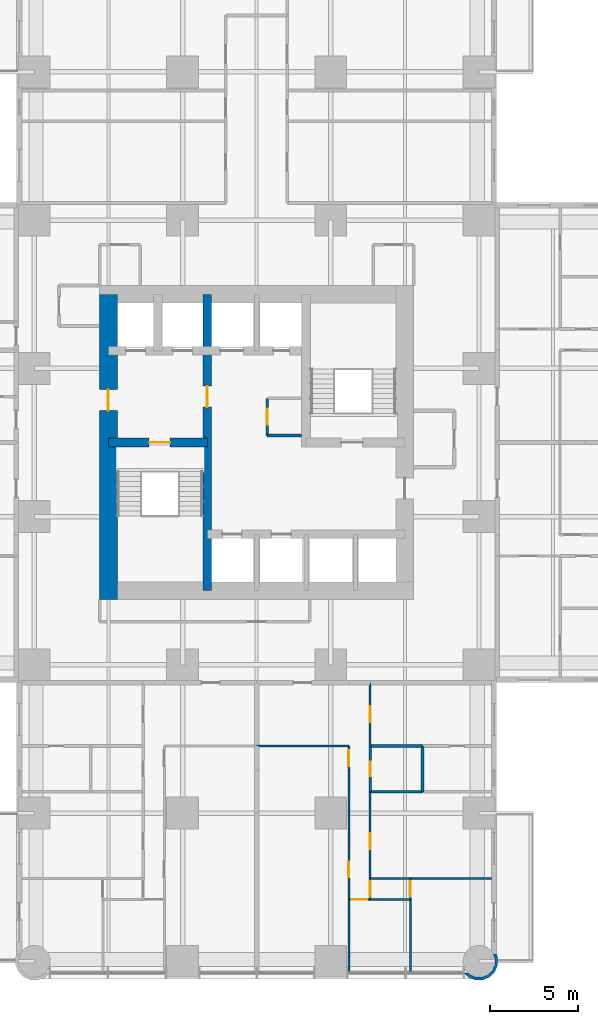
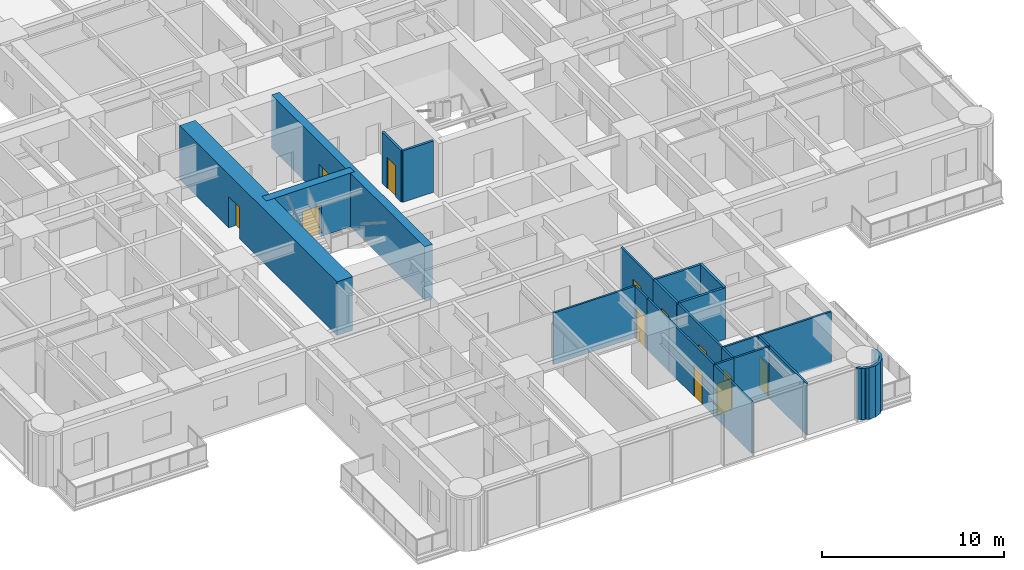
# One storey, part 9 of 17: 24 walls, 12 doors, 12 openings.
"""IFC4 building model written with IfcOpenShell, lengths in metres."""

import ifcopenshell
import ifcopenshell.guid

model = None  # the IFC model being written
_history = None  # IfcOwnerHistory: only IFC2X3 demands one
_inside = {}  # id of a spatial element -> (the spatial element, [elements in it])
_under = {}  # id of a project, library or spatial element -> (it, [spatial elements below it])
_declared = {}  # id of a project -> (the project, [libraries it declares])
_typed = {}  # id of a type object -> (the type object, [elements of that type])
_made_of = {}  # id of a material, layer set ... -> (it, [elements and type objects made of it])


def new_model(schema):
    """Start an empty IFC model of exactly this schema.

    Asked for "IFC4X3", IfcOpenShell would pick the latest addendum, in which some entities
    have other attributes; the version numbers below select the first issue.
    IFC2X3 requires an IfcOwnerHistory on every rooted entity: one is made here for all.
    """
    global model, _history
    if schema == "IFC4X3":
        model = ifcopenshell.file(schema_version=(4, 3, 0, 0))
    else:
        model = ifcopenshell.file(schema=schema)
    _inside.clear()
    _under.clear()
    _declared.clear()
    _typed.clear()
    _made_of.clear()
    _history = None
    if model.schema == "IFC2X3":
        org = make("IfcOrganization", Name="unknown")
        user = make(
            "IfcPersonAndOrganization",
            ThePerson=make("IfcPerson", FamilyName="unknown"),
            TheOrganization=org,
        )
        app = make(
            "IfcApplication",
            ApplicationDeveloper=org,
            Version="unknown",
            ApplicationFullName="unknown",
            ApplicationIdentifier="unknown",
        )
        _history = make(
            "IfcOwnerHistory",
            OwningUser=user,
            OwningApplication=app,
            ChangeAction="ADDED",
            CreationDate=0,
        )
    return model


def make(cls, **values):
    """One entity of the class cls with the attributes given. An attribute that is None is left unset."""
    return model.create_entity(
        cls, **{name: value for name, value in values.items() if value is not None}
    )


def rooted(cls, **values):
    """An entity with a GlobalId (a new one), such as an element, a storey or a relation."""
    return make(cls, GlobalId=ifcopenshell.guid.new(), OwnerHistory=_history, **values)


def si_unit(unit_type, name, prefix=None):
    """IfcSIUnit, for example si_unit("LENGTHUNIT", "METRE", prefix="MILLI")."""
    return make("IfcSIUnit", UnitType=unit_type, Prefix=prefix, Name=name)


def assignment(units):
    """IfcUnitAssignment: the units of a project."""
    return None if units is None else make("IfcUnitAssignment", Units=units)


def point(xyz):
    """IfcCartesianPoint."""
    return None if xyz is None else make("IfcCartesianPoint", Coordinates=xyz)


def direction(xyz):
    """IfcDirection."""
    return None if xyz is None else make("IfcDirection", DirectionRatios=xyz)


def frame(location, z_axis=None, x_axis=None):
    """IfcAxis2Placement3D, a coordinate frame: its origin and axes. An axis left out is left unset."""
    return make(
        "IfcAxis2Placement3D",
        Location=point(location),
        Axis=direction(z_axis),
        RefDirection=direction(x_axis),
    )


def frame_2d(location, x_axis=None):
    """IfcAxis2Placement2D, a coordinate frame in the plane: its origin and x axis."""
    return make(
        "IfcAxis2Placement2D", Location=point(location), RefDirection=direction(x_axis)
    )


def origin():
    """The frame at (0, 0, 0) with its axes left unset."""
    return frame((0.0, 0.0, 0.0))


def place(relative_to, where):
    """IfcLocalPlacement: puts the frame where relative to a parent placement (None: the world)."""
    return make(
        "IfcLocalPlacement", PlacementRelTo=relative_to, RelativePlacement=where
    )


def context(
    kind, dimensions, precision=None, world=None, true_north=None, identifier=None
):
    """IfcGeometricRepresentationContext, for example the 3D "Model" context."""
    return make(
        "IfcGeometricRepresentationContext",
        ContextIdentifier=identifier,
        ContextType=kind,
        CoordinateSpaceDimension=dimensions,
        Precision=precision,
        WorldCoordinateSystem=world,
        TrueNorth=true_north,
    )


def subcontext(parent, identifier, kind, view, scale=None):
    """IfcGeometricRepresentationSubContext, for example "Body" below "Model"."""
    return make(
        "IfcGeometricRepresentationSubContext",
        ContextIdentifier=identifier,
        ContextType=kind,
        ParentContext=parent,
        TargetScale=scale,
        TargetView=view,
    )


def project(units=None, contexts=None):
    """IfcProject with its units and contexts."""
    return rooted(
        "IfcProject",
        Name="project",
        RepresentationContexts=contexts,
        UnitsInContext=assignment(units),
    )


def spatial(cls, under=None, at=None, **own):
    """A site, building, storey or space (cls), placed at a placement, below another one or the project."""
    s = rooted(cls, ObjectPlacement=at, **own)
    if under is not None:
        _under.setdefault(under.id(), (under, []))[1].append(s)
    return s


def polyline(points):
    """IfcPolyline through the points."""
    return make("IfcPolyline", Points=[point(p) for p in points])


def profile(cls, at=None, kind="AREA", **sizes):
    """A parametric profile (cls). Its sizes go by their IFC names, for example OverallWidth=200.0."""
    return make(cls, ProfileType=kind, Position=at, **sizes)


def rectangle(**sizes):
    """IfcRectangleProfileDef."""
    return profile("IfcRectangleProfileDef", **sizes)


def outline(outer, holes=None, kind="AREA"):
    """IfcArbitraryClosedProfileDef: a profile drawn as a closed curve; with holes, ...WithVoids."""
    if holes is None:
        return make("IfcArbitraryClosedProfileDef", ProfileType=kind, OuterCurve=outer)
    return make(
        "IfcArbitraryProfileDefWithVoids",
        ProfileType=kind,
        OuterCurve=outer,
        InnerCurves=holes,
    )


def extrude(swept, where, along, depth):
    """IfcExtrudedAreaSolid: the profile swept, set in the frame where, extruded along a direction by depth."""
    return make(
        "IfcExtrudedAreaSolid",
        SweptArea=swept,
        Position=where,
        ExtrudedDirection=direction(along),
        Depth=depth,
    )


def shape(context_of_items, identifier, shape_type, items):
    """IfcShapeRepresentation: the items that make up one representation, for example the "Body"."""
    return make(
        "IfcShapeRepresentation",
        ContextOfItems=context_of_items,
        RepresentationIdentifier=identifier,
        RepresentationType=shape_type,
        Items=items,
    )


def material(Name=None, Category=None):
    """IfcMaterial."""
    return make("IfcMaterial", Name=Name, Category=Category)


def layer(
    of_material, thickness, ventilated=None, Name=None, Category=None, Priority=None
):
    """IfcMaterialLayer: one layer of a wall or slab, of a material (None: an air gap)."""
    return make(
        "IfcMaterialLayer",
        Material=of_material,
        LayerThickness=thickness,
        IsVentilated=ventilated,
        Name=Name,
        Category=Category,
        Priority=Priority,
    )


def layer_set(layers, Name=None):
    """IfcMaterialLayerSet."""
    return make("IfcMaterialLayerSet", MaterialLayers=layers, LayerSetName=Name)


def made_of(thing, what):
    """Note that an element or type object is made of a material, layer set ...; save() writes the relation."""
    if what is not None:
        _made_of.setdefault(what.id(), (what, []))[1].append(thing)
    return thing


def type_object(cls, material=None, **own):
    """A type object (cls), such as IfcWallType, which elements share."""
    return made_of(rooted(cls, **own), material)


def element(
    cls,
    number,
    at=None,
    inside=None,
    cuts=None,
    type_object=None,
    material=None,
    context=None,
    identifier="Body",
    shape_type=None,
    held_by="IfcProductDefinitionShape",
    body=None,
    shapes=None,
    **own,
):
    """One element of the class cls, such as IfcWall. Its Tag is "e" and its number.

    at: its placement. inside: the storey or other place that contains it. cuts: it is an
    opening in that element (IfcRelVoidsElement). A single representation is given by context,
    identifier, shape_type and body (its items); several are given by shapes. held_by: the class
    of the entity that holds the representations. save() writes the other relations.
    """
    e = rooted(cls, Tag="e%d" % number, ObjectPlacement=at, **own)
    if body is not None:
        shapes = [shape(context, identifier, shape_type, body)]
    if shapes is not None:
        e.Representation = make(held_by, Representations=shapes)
    if inside is not None:
        _inside.setdefault(inside.id(), (inside, []))[1].append(e)
    if cuts is not None:
        rooted(
            "IfcRelVoidsElement", RelatingBuildingElement=cuts, RelatedOpeningElement=e
        )
    if type_object is not None:
        _typed.setdefault(type_object.id(), (type_object, []))[1].append(e)
    return made_of(e, material)


def fill(opening, filler):
    """IfcRelFillsElement: the door or window that sits in an opening."""
    return rooted(
        "IfcRelFillsElement",
        RelatingOpeningElement=opening,
        RelatedBuildingElement=filler,
    )


def aggregate(whole, parts):
    """IfcRelAggregates: a whole, such as a stair, and the parts it consists of."""
    return rooted("IfcRelAggregates", RelatingObject=whole, RelatedObjects=parts)


def save(model, path):
    """Write the relations noted so far, then the file.

    IfcRelAggregates (storeys below a building ...), IfcRelContainedInSpatialStructure (elements
    in a storey), IfcRelDefinesByType, IfcRelAssociatesMaterial and IfcRelDeclares: one each for
    every whole, place, type object, material and project.
    """
    for whole, parts in _under.values():
        aggregate(whole, parts)
    for where, things in _inside.values():
        rooted(
            "IfcRelContainedInSpatialStructure",
            RelatedElements=things,
            RelatingStructure=where,
        )
    for kind, things in _typed.values():
        rooted("IfcRelDefinesByType", RelatedObjects=things, RelatingType=kind)
    for what, things in _made_of.values():
        rooted("IfcRelAssociatesMaterial", RelatedObjects=things, RelatingMaterial=what)
    for by, libraries in _declared.values():
        rooted("IfcRelDeclares", RelatingContext=by, RelatedDefinitions=libraries)
    model.write(path)


model = new_model("IFC4")

# Units and contexts
model_context = context("Model", 3, precision=1e-05, world=origin(), true_north=direction((0.0, 1.0)))
body_context = subcontext(model_context, "Body", "Model", "MODEL_VIEW")
ifc_project = project(units=[si_unit("LENGTHUNIT", "METRE"), si_unit("AREAUNIT", "SQUARE_METRE"), si_unit("VOLUMEUNIT", "CUBIC_METRE"), si_unit("PLANEANGLEUNIT", "RADIAN"), si_unit("MASSUNIT", "GRAM", prefix="KILO")], contexts=[model_context])

# Site, building, storey
site_placement = place(None, origin())
site = spatial("IfcSite", under=ifc_project, at=site_placement, CompositionType="ELEMENT")
building_placement = place(site_placement, origin())
building = spatial("IfcBuilding", under=site, at=building_placement, Name="Torre Alcanfor", CompositionType="ELEMENT")
storey_placement = place(building_placement, frame((0.0, 0.0, 34.5)))
storey = spatial("IfcBuildingStorey", under=building, at=storey_placement, Name="L07", CompositionType="ELEMENT", Elevation=34.5)

# Wall
ifc_material_1 = material(Name="Gypsum board on steel studs", Category="steel")
ifc_layer_1 = layer(ifc_material_1, 0.1201171875)
ifc_layer_set_1 = layer_set([ifc_layer_1], Name="Apartment partition 120")
wall_type_1 = type_object("IfcWallType", Name="Apartment partition 120", PredefinedType="PARTITIONING", material=ifc_layer_set_1)
wall_1_placement = place(storey_placement, frame((29.39990234375, 12.199951171875, 0.0), z_axis=(0.0, 0.0, 1.0), x_axis=(1.0, 0.0, 0.0)))
element("IfcWall", 1, at=wall_1_placement, inside=storey, type_object=wall_type_1, Name="Partition L07-S1-ZAG / L07-S1-LAUND", PredefinedType="PARTITIONING", context=body_context, shape_type="SweptSolid", body=[
    extrude(rectangle(XDim=5.22900390625, YDim=0.1201171875, at=frame_2d((2.614501953125, 0.0))), origin(), (0.0, 0.0, 1.0), 3.449951171875),
])

# Wall, opening, door
wall_2_placement = place(storey_placement, frame((34.62890625, 10.800048828125, 0.0), z_axis=(0.0, 0.0, 1.0), x_axis=(0.0, 1.0, 0.0)))
wall_2 = element("IfcWall", 2, at=wall_2_placement, inside=storey, type_object=wall_type_1, Name="Partition L07-S1-LAUND / L07-S1-HALL", PredefinedType="PARTITIONING", context=body_context, shape_type="SweptSolid", body=[
    extrude(rectangle(XDim=1.39990234375, YDim=0.1201171875, at=frame_2d((0.699951171875, 0.0))), origin(), (0.0, 0.0, 1.0), 3.449951171875),
])
opening_1_placement = place(wall_2_placement, frame((0.25, 0.0, 0.0)))
opening_1 = element("IfcOpeningElement", 3, at=opening_1_placement, cuts=wall_2, Name="Opening D-R1", PredefinedType="OPENING", context=body_context, shape_type="SweptSolid", body=[
    extrude(rectangle(XDim=0.89990234375, YDim=2.10009765625, at=frame_2d((0.449951171875, 1.050048828125))), frame((0.0, 0.070068359375, 0.0), z_axis=(0.0, -1.0, 0.0), x_axis=(1.0, 0.0, 0.0)), (0.0, 0.0, 1.0), 0.14013671875),
])
ifc_material_2 = material(Name="Timber", Category="wood")
door_type_1 = type_object("IfcDoorType", Name="Internal door 900x2100", OperationType="SINGLE_SWING_LEFT", PredefinedType="DOOR", material=ifc_material_2)
door_1_placement = place(opening_1_placement, origin())
door_1 = element("IfcDoor", 4, at=door_1_placement, inside=storey, type_object=door_type_1, Name="Door L07-S1 laund", OperationType="SINGLE_SWING_LEFT", OverallHeight=2.10009765625, OverallWidth=0.89990234375, PredefinedType="DOOR", context=body_context, shape_type="SweptSolid", body=[
    extrude(rectangle(XDim=0.89990234375, YDim=2.10009765625, at=frame_2d((0.449951171875, 1.050048828125))), frame((0.0, 0.02490234375, 0.0), z_axis=(0.0, -1.0, 0.0), x_axis=(1.0, 0.0, 0.0)), (0.0, 0.0, 1.0), 0.050048828125),
])
fill(opening_1, door_1)

# Wall
wall_3_placement = place(storey_placement, frame((34.62890625, 8.39990234375, 0.0), z_axis=(0.0, 0.0, 1.0), x_axis=(0.0, 1.0, 0.0)))
element("IfcWall", 5, at=wall_3_placement, inside=storey, type_object=wall_type_1, Name="Partition L07-S1-KITCHEN / L07-S1-HALL", PredefinedType="PARTITIONING", context=body_context, shape_type="SweptSolid", body=[
    extrude(rectangle(XDim=2.400146484375, YDim=0.1201171875, at=frame_2d((1.2001953125, 0.0))), origin(), (0.0, 0.0, 1.0), 3.449951171875),
])

# Wall, opening, door
wall_4_placement = place(storey_placement, frame((34.62890625, 3.5, 0.0), z_axis=(0.0, 0.0, 1.0), x_axis=(0.0, 1.0, 0.0)))
wall_4 = element("IfcWall", 6, at=wall_4_placement, inside=storey, type_object=wall_type_1, Name="Partition L07-S1-LIVING / L07-S1-HALL", PredefinedType="PARTITIONING", context=body_context, shape_type="SweptSolid", body=[
    extrude(rectangle(XDim=4.89990234375, YDim=0.1201171875, at=frame_2d((2.449951171875, 0.0))), origin(), (0.0, 0.0, 1.0), 3.449951171875),
])
opening_2_placement = place(wall_4_placement, frame((1.25, 0.0, 0.0)))
opening_2 = element("IfcOpeningElement", 7, at=opening_2_placement, cuts=wall_4, Name="Opening D-R1", PredefinedType="OPENING", context=body_context, shape_type="SweptSolid", body=[
    extrude(rectangle(XDim=0.89990234375, YDim=2.10009765625, at=frame_2d((0.449951171875, 1.050048828125))), frame((0.0, 0.070068359375, 0.0), z_axis=(0.0, -1.0, 0.0), x_axis=(1.0, 0.0, 0.0)), (0.0, 0.0, 1.0), 0.14013671875),
])
door_2_placement = place(opening_2_placement, origin())
door_2 = element("IfcDoor", 8, at=door_2_placement, inside=storey, type_object=door_type_1, Name="Door L07-S1 living", OperationType="SINGLE_SWING_RIGHT", OverallHeight=2.10009765625, OverallWidth=0.89990234375, PredefinedType="DOOR", context=body_context, shape_type="SweptSolid", body=[
    extrude(rectangle(XDim=0.89990234375, YDim=2.10009765625, at=frame_2d((0.449951171875, 1.050048828125))), frame((0.0, 0.02490234375, 0.0), z_axis=(0.0, -1.0, 0.0), x_axis=(1.0, 0.0, 0.0)), (0.0, 0.0, 1.0), 0.050048828125),
])
fill(opening_2, door_2)

# Wall
wall_5_placement = place(storey_placement, frame((34.62890625, -0.64990234375, 0.0), z_axis=(0.0, 0.0, 1.0), x_axis=(0.0, 1.0, 0.0)))
element("IfcWall", 9, at=wall_5_placement, inside=storey, type_object=wall_type_1, Name="Partition L07-S1-LIVING / L07-S1-BED2", PredefinedType="PARTITIONING", context=body_context, shape_type="SweptSolid", body=[
    extrude(rectangle(XDim=4.14990234375, YDim=0.1201171875, at=frame_2d((2.074951171875, 0.0))), origin(), (0.0, 0.0, 1.0), 3.449951171875),
])

# Wall, opening, door
wall_6_placement = place(storey_placement, frame((35.8291015625, 12.199951171875, 0.0), z_axis=(0.0, 0.0, 1.0), x_axis=(0.0, 1.0, 0.0)))
wall_6 = element("IfcWall", 10, at=wall_6_placement, inside=storey, type_object=wall_type_1, Name="Partition L07-S1-HALL / L07-S1-SERV", PredefinedType="PARTITIONING", context=body_context, shape_type="SweptSolid", body=[
    extrude(rectangle(XDim=3.574951171875, YDim=0.1201171875, at=frame_2d((1.78759765625, 0.0))), origin(), (0.0, 0.0, 1.0), 3.449951171875),
])
opening_3_placement = place(wall_6_placement, frame((1.35009765625, 0.0, 0.0)))
opening_3 = element("IfcOpeningElement", 11, at=opening_3_placement, cuts=wall_6, Name="Opening D-R1", PredefinedType="OPENING", context=body_context, shape_type="SweptSolid", body=[
    extrude(rectangle(XDim=0.89990234375, YDim=2.10009765625, at=frame_2d((0.449951171875, 1.050048828125))), frame((0.0, 0.070068359375, 0.0), z_axis=(0.0, -1.0, 0.0), x_axis=(1.0, 0.0, 0.0)), (0.0, 0.0, 1.0), 0.14013671875),
])
door_3_placement = place(opening_3_placement, frame((0.89990234375, 0.0, 0.0), z_axis=(0.0, 0.0, 1.0), x_axis=(-1.0, 0.0, 0.0)))
door_3 = element("IfcDoor", 12, at=door_3_placement, inside=storey, type_object=door_type_1, Name="Door L07-S1 serv", OperationType="SINGLE_SWING_LEFT", OverallHeight=2.10009765625, OverallWidth=0.89990234375, PredefinedType="DOOR", context=body_context, shape_type="SweptSolid", body=[
    extrude(rectangle(XDim=0.89990234375, YDim=2.10009765625, at=frame_2d((0.449951171875, 1.050048828125))), frame((0.0, 0.025146484375, 0.0), z_axis=(0.0, -1.0, 0.0), x_axis=(1.0, 0.0, 0.0)), (0.0, 0.0, 1.0), 0.050048828125),
])
fill(opening_3, door_3)

wall_7_placement = place(storey_placement, frame((35.8291015625, 4.699951171875, 0.0), z_axis=(0.0, 0.0, 1.0), x_axis=(0.0, 1.0, 0.0)))
wall_7 = element("IfcWall", 13, at=wall_7_placement, inside=storey, type_object=wall_type_1, Name="Partition L07-S1-HALL / L07-S1-BED3", PredefinedType="PARTITIONING", context=body_context, shape_type="SweptSolid", body=[
    extrude(rectangle(XDim=4.900146484375, YDim=0.1201171875, at=frame_2d((2.4501953125, 0.0))), origin(), (0.0, 0.0, 1.0), 3.449951171875),
])
opening_4_placement = place(wall_7_placement, frame((1.64990234375, 0.0, 0.0)))
opening_4 = element("IfcOpeningElement", 14, at=opening_4_placement, cuts=wall_7, Name="Opening D-R1", PredefinedType="OPENING", context=body_context, shape_type="SweptSolid", body=[
    extrude(rectangle(XDim=0.89990234375, YDim=2.10009765625, at=frame_2d((0.449951171875, 1.050048828125))), frame((0.0, 0.070068359375, 0.0), z_axis=(0.0, -1.0, 0.0), x_axis=(1.0, 0.0, 0.0)), (0.0, 0.0, 1.0), 0.14013671875),
])
door_4_placement = place(opening_4_placement, frame((0.89990234375, 0.0, 0.0), z_axis=(0.0, 0.0, 1.0), x_axis=(-1.0, 0.0, 0.0)))
door_4 = element("IfcDoor", 15, at=door_4_placement, inside=storey, type_object=door_type_1, Name="Door L07-S1 bed3", OperationType="SINGLE_SWING_RIGHT", OverallHeight=2.10009765625, OverallWidth=0.89990234375, PredefinedType="DOOR", context=body_context, shape_type="SweptSolid", body=[
    extrude(rectangle(XDim=0.89990234375, YDim=2.10009765625, at=frame_2d((0.449951171875, 1.050048828125))), frame((0.0, 0.025146484375, 0.0), z_axis=(0.0, -1.0, 0.0), x_axis=(1.0, 0.0, 0.0)), (0.0, 0.0, 1.0), 0.050048828125),
])
fill(opening_4, door_4)

wall_8_placement = place(storey_placement, frame((35.8291015625, 3.5, 0.0), z_axis=(0.0, 0.0, 1.0), x_axis=(0.0, 1.0, 0.0)))
wall_8 = element("IfcWall", 16, at=wall_8_placement, inside=storey, type_object=wall_type_1, Name="Partition L07-S1-HALL / L07-S1-VEST", PredefinedType="PARTITIONING", context=body_context, shape_type="SweptSolid", body=[
    extrude(rectangle(XDim=1.199951171875, YDim=0.1201171875, at=frame_2d((0.60009765625, 0.0))), origin(), (0.0, 0.0, 1.0), 3.449951171875),
])
opening_5_placement = place(wall_8_placement, frame((0.14990234375, 0.0, 0.0)))
opening_5 = element("IfcOpeningElement", 17, at=opening_5_placement, cuts=wall_8, Name="Opening D-R1", PredefinedType="OPENING", context=body_context, shape_type="SweptSolid", body=[
    extrude(rectangle(XDim=0.89990234375, YDim=2.10009765625, at=frame_2d((0.449951171875, 1.050048828125))), frame((0.0, 0.070068359375, 0.0), z_axis=(0.0, -1.0, 0.0), x_axis=(1.0, 0.0, 0.0)), (0.0, 0.0, 1.0), 0.14013671875),
])
door_5_placement = place(opening_5_placement, frame((0.89990234375, 0.0, 0.0), z_axis=(0.0, 0.0, 1.0), x_axis=(-1.0, 0.0, 0.0)))
door_5 = element("IfcDoor", 18, at=door_5_placement, inside=storey, type_object=door_type_1, Name="Door L07-S1 vest", OperationType="SINGLE_SWING_RIGHT", OverallHeight=2.10009765625, OverallWidth=0.89990234375, PredefinedType="DOOR", context=body_context, shape_type="SweptSolid", body=[
    extrude(rectangle(XDim=0.89990234375, YDim=2.10009765625, at=frame_2d((0.449951171875, 1.050048828125))), frame((0.0, 0.025146484375, 0.0), z_axis=(0.0, -1.0, 0.0), x_axis=(1.0, 0.0, 0.0)), (0.0, 0.0, 1.0), 0.050048828125),
])
fill(opening_5, door_5)

wall_9_placement = place(storey_placement, frame((34.62890625, 3.5, 0.0), z_axis=(0.0, 0.0, 1.0), x_axis=(1.0, 0.0, 0.0)))
wall_9 = element("IfcWall", 19, at=wall_9_placement, inside=storey, type_object=wall_type_1, Name="Partition L07-S1-HALL / L07-S1-BED2", PredefinedType="PARTITIONING", context=body_context, shape_type="SweptSolid", body=[
    extrude(rectangle(XDim=1.2001953125, YDim=0.1201171875, at=frame_2d((0.60009765625, 0.0))), origin(), (0.0, 0.0, 1.0), 3.449951171875),
])
opening_6_placement = place(wall_9_placement, frame((0.15087890625, 0.0, 0.0)))
opening_6 = element("IfcOpeningElement", 20, at=opening_6_placement, cuts=wall_9, Name="Opening D-R1", PredefinedType="OPENING", context=body_context, shape_type="SweptSolid", body=[
    extrude(rectangle(XDim=0.89990234375, YDim=2.10009765625, at=frame_2d((0.449951171875, 1.050048828125))), frame((0.0, 0.070068359375, 0.0), z_axis=(0.0, -1.0, 0.0), x_axis=(1.0, 0.0, 0.0)), (0.0, 0.0, 1.0), 0.14013671875),
])
door_6_placement = place(opening_6_placement, frame((0.89990234375, 0.0, 0.0), z_axis=(0.0, 0.0, 1.0), x_axis=(-1.0, 0.0, 0.0)))
door_6 = element("IfcDoor", 21, at=door_6_placement, inside=storey, type_object=door_type_1, Name="Door L07-S1 bed2", OperationType="SINGLE_SWING_RIGHT", OverallHeight=2.10009765625, OverallWidth=0.89990234375, PredefinedType="DOOR", context=body_context, shape_type="SweptSolid", body=[
    extrude(rectangle(XDim=0.89990234375, YDim=2.10009765625, at=frame_2d((0.449951171875, 1.050048828125))), frame((0.0, 0.025146484375, 0.0), z_axis=(0.0, -1.0, 0.0), x_axis=(1.0, 0.0, 0.0)), (0.0, 0.0, 1.0), 0.050048828125),
])
fill(opening_6, door_6)

# Walls
wall_10_placement = place(storey_placement, frame((35.8291015625, 4.699951171875, 0.0), z_axis=(0.0, 0.0, 1.0), x_axis=(1.0, 0.0, 0.0)))
element("IfcWall", 22, at=wall_10_placement, inside=storey, type_object=wall_type_1, Name="Partition L07-S1-BED3 / L07-S1-VEST", PredefinedType="PARTITIONING", context=body_context, shape_type="SweptSolid", body=[
    extrude(rectangle(XDim=2.284912109375, YDim=0.1201171875, at=frame_2d((1.142578125, 0.0))), origin(), (0.0, 0.0, 1.0), 3.449951171875),
])
wall_11_placement = place(storey_placement, frame((38.114013671875, 4.699951171875, 0.0), z_axis=(0.0, 0.0, 1.0), x_axis=(1.0, 0.0, 0.0)))
element("IfcWall", 23, at=wall_11_placement, inside=storey, type_object=wall_type_1, Name="Partition L07-S1-BED3 / L07-S1-MASTER", PredefinedType="PARTITIONING", context=body_context, shape_type="SweptSolid", body=[
    extrude(rectangle(XDim=4.5859375, YDim=0.1201171875, at=frame_2d((2.29296875, 0.0))), origin(), (0.0, 0.0, 1.0), 3.449951171875),
])
wall_12_placement = place(storey_placement, frame((35.8291015625, 3.5, 0.0), z_axis=(0.0, 0.0, 1.0), x_axis=(1.0, 0.0, 0.0)))
element("IfcWall", 24, at=wall_12_placement, inside=storey, type_object=wall_type_1, Name="Partition L07-S1-VEST / L07-S1-BED2", PredefinedType="PARTITIONING", context=body_context, shape_type="SweptSolid", body=[
    extrude(rectangle(XDim=2.284912109375, YDim=0.1201171875, at=frame_2d((1.142578125, 0.0))), origin(), (0.0, 0.0, 1.0), 3.449951171875),
])

# Wall, opening, door
wall_13_placement = place(storey_placement, frame((38.114013671875, 3.5, 0.0), z_axis=(0.0, 0.0, 1.0), x_axis=(0.0, 1.0, 0.0)))
wall_13 = element("IfcWall", 25, at=wall_13_placement, inside=storey, type_object=wall_type_1, Name="Partition L07-S1-VEST / L07-S1-MASTER", PredefinedType="PARTITIONING", context=body_context, shape_type="SweptSolid", body=[
    extrude(rectangle(XDim=1.199951171875, YDim=0.1201171875, at=frame_2d((0.60009765625, 0.0))), origin(), (0.0, 0.0, 1.0), 3.449951171875),
])
opening_7_placement = place(wall_13_placement, frame((0.14990234375, 0.0, 0.0)))
opening_7 = element("IfcOpeningElement", 26, at=opening_7_placement, cuts=wall_13, Name="Opening D-R1", PredefinedType="OPENING", context=body_context, shape_type="SweptSolid", body=[
    extrude(rectangle(XDim=0.89990234375, YDim=2.10009765625, at=frame_2d((0.449951171875, 1.050048828125))), frame((0.0, 0.070068359375, 0.0), z_axis=(0.0, -1.0, 0.0), x_axis=(1.0, 0.0, 0.0)), (0.0, 0.0, 1.0), 0.14013671875),
])
door_7_placement = place(opening_7_placement, origin())
door_7 = element("IfcDoor", 27, at=door_7_placement, inside=storey, type_object=door_type_1, Name="Door L07-S1 master", OperationType="SINGLE_SWING_LEFT", OverallHeight=2.10009765625, OverallWidth=0.89990234375, PredefinedType="DOOR", context=body_context, shape_type="SweptSolid", body=[
    extrude(rectangle(XDim=0.89990234375, YDim=2.10009765625, at=frame_2d((0.449951171875, 1.050048828125))), frame((0.0, 0.02490234375, 0.0), z_axis=(0.0, -1.0, 0.0), x_axis=(1.0, 0.0, 0.0)), (0.0, 0.0, 1.0), 0.050048828125),
])
fill(opening_7, door_7)

# Wall
wall_14_placement = place(storey_placement, frame((38.114013671875, -0.64990234375, 0.0), z_axis=(0.0, 0.0, 1.0), x_axis=(0.0, 1.0, 0.0)))
element("IfcWall", 28, at=wall_14_placement, inside=storey, type_object=wall_type_1, Name="Partition L07-S1-BED2 / L07-S1-MASTER", PredefinedType="PARTITIONING", context=body_context, shape_type="SweptSolid", body=[
    extrude(rectangle(XDim=4.14990234375, YDim=0.1201171875, at=frame_2d((2.074951171875, 0.0))), origin(), (0.0, 0.0, 1.0), 3.449951171875),
])

# Wall, opening, door
ifc_material_3 = material(Name="Concrete f'c 70 MPa", Category="concrete")
ifc_layer_2 = layer(ifc_material_3, 0.5)
ifc_layer_set_2 = layer_set([ifc_layer_2], Name="Core inner wall 500 f'c70")
wall_type_2 = type_object("IfcWallType", Name="Core inner wall 500 f'c70", PredefinedType="SHEAR", material=ifc_layer_set_2)
wall_15_placement = place(storey_placement, frame((26.60009765625, 21.0, 0.0), z_axis=(0.0, 0.0, 1.0), x_axis=(0.0, 1.0, 0.0)))
wall_15 = element("IfcWall", 29, at=wall_15_placement, inside=storey, type_object=wall_type_2, Name="Core wall X266 L07", PredefinedType="SHEAR", context=body_context, shape_type="SweptSolid", body=[
    extrude(rectangle(XDim=16.800048828125, YDim=0.5, at=frame_2d((8.39990234375, 0.0))), origin(), (0.0, 0.0, 1.0), 3.60009765625),
])
opening_8_placement = place(wall_15_placement, frame((10.39990234375, 0.0, 0.0)))
opening_8 = element("IfcOpeningElement", 30, at=opening_8_placement, cuts=wall_15, Name="Opening D-L1", PredefinedType="OPENING", context=body_context, shape_type="SweptSolid", body=[
    extrude(rectangle(XDim=1.199951171875, YDim=2.10009765625, at=frame_2d((0.60009765625, 1.050048828125))), frame((0.0, 0.260009765625, 0.0), z_axis=(0.0, -1.0, 0.0), x_axis=(1.0, 0.0, 0.0)), (0.0, 0.0, 1.0), 0.52001953125),
])
ifc_material_4 = material(Name="Galvanised steel sheet ASTM A653", Category="steel")
door_type_2 = type_object("IfcDoorType", Name="Lobby door FD120 1200x2100", OperationType="SINGLE_SWING_LEFT", PredefinedType="DOOR", material=ifc_material_4)
door_8_placement = place(opening_8_placement, origin())
door_8 = element("IfcDoor", 31, at=door_8_placement, inside=storey, type_object=door_type_2, Name="Lift lobby door L07", OperationType="SINGLE_SWING_LEFT", OverallHeight=2.10009765625, OverallWidth=1.199951171875, PredefinedType="DOOR", context=body_context, shape_type="SweptSolid", body=[
    extrude(rectangle(XDim=1.199951171875, YDim=2.10009765625, at=frame_2d((0.60009765625, 1.050048828125))), frame((0.0, 0.02490234375, 0.0), z_axis=(0.0, -1.0, 0.0), x_axis=(1.0, 0.0, 0.0)), (0.0, 0.0, 1.0), 0.050048828125),
])
fill(opening_8, door_8)

wall_16_placement = place(storey_placement, frame((21.0, 29.39990234375, 0.0), z_axis=(0.0, 0.0, 1.0), x_axis=(1.0, 0.0, 0.0)))
wall_16 = element("IfcWall", 32, at=wall_16_placement, inside=storey, type_object=wall_type_2, Name="Core wall Y294W L07", PredefinedType="SHEAR", context=body_context, shape_type="SweptSolid", body=[
    extrude(rectangle(XDim=5.60009765625, YDim=0.5, at=frame_2d((2.800048828125, 0.0))), origin(), (0.0, 0.0, 1.0), 3.60009765625),
])
opening_9_placement = place(wall_16_placement, frame((2.300048828125, 0.0, 0.0)))
opening_9 = element("IfcOpeningElement", 33, at=opening_9_placement, cuts=wall_16, Name="Opening D-S2", PredefinedType="OPENING", context=body_context, shape_type="SweptSolid", body=[
    extrude(rectangle(XDim=1.199951171875, YDim=2.10009765625, at=frame_2d((0.60009765625, 1.050048828125))), frame((0.0, 0.260009765625, 0.0), z_axis=(0.0, -1.0, 0.0), x_axis=(1.0, 0.0, 0.0)), (0.0, 0.0, 1.0), 0.52001953125),
])
ifc_material_5 = material(Name="Galvanised steel sheet ASTM A653", Category="steel")
door_type_3 = type_object("IfcDoorType", Name="Stair enclosure door FD120 1200x2100", OperationType="SINGLE_SWING_LEFT", PredefinedType="DOOR", material=ifc_material_5)
door_9_placement = place(opening_9_placement, frame((1.199951171875, 0.0, 0.0), z_axis=(0.0, 0.0, 1.0), x_axis=(-1.0, 0.0, 0.0)))
door_9 = element("IfcDoor", 34, at=door_9_placement, inside=storey, type_object=door_type_3, Name="Stair S1 door L07", OperationType="SINGLE_SWING_LEFT", OverallHeight=2.10009765625, OverallWidth=1.199951171875, PredefinedType="DOOR", context=body_context, shape_type="SweptSolid", body=[
    extrude(rectangle(XDim=1.199951171875, YDim=2.10009765625, at=frame_2d((0.599853515625, 1.050048828125))), frame((0.0, 0.025146484375, 0.0), z_axis=(0.0, -1.0, 0.0), x_axis=(1.0, 0.0, 0.0)), (0.0, 0.0, 1.0), 0.050048828125),
])
fill(opening_9, door_9)

ifc_material_6 = material(Name="Concrete f'c 70 MPa", Category="concrete")
ifc_layer_3 = layer(ifc_material_6, 1.0)
ifc_layer_set_3 = layer_set([ifc_layer_3], Name="Core wall 1000 f'c70")
wall_type_3 = type_object("IfcWallType", Name="Core wall 1000 f'c70", PredefinedType="SHEAR", material=ifc_layer_set_3)
wall_17_placement = place(storey_placement, frame((21.0, 37.800048828125, 0.0), z_axis=(0.0, 0.0, 1.0), x_axis=(0.0, -1.0, 0.0)))
wall_17 = element("IfcWall", 35, at=wall_17_placement, inside=storey, type_object=wall_type_3, Name="Core wall OUT-W L07", PredefinedType="SHEAR", context=body_context, shape_type="SweptSolid", body=[
    extrude(rectangle(XDim=17.300048828125, YDim=1.0, at=frame_2d((8.64990234375, 0.0))), origin(), (0.0, 0.0, 1.0), 3.60009765625),
])
opening_10_placement = place(wall_17_placement, frame((5.39990234375, 0.0, 0.0)))
opening_10 = element("IfcOpeningElement", 36, at=opening_10_placement, cuts=wall_17, Name="Opening D-L1", PredefinedType="OPENING", context=body_context, shape_type="SweptSolid", body=[
    extrude(rectangle(XDim=1.199951171875, YDim=2.10009765625, at=frame_2d((0.60009765625, 1.050048828125))), frame((0.0, 0.510009765625, 0.0), z_axis=(0.0, -1.0, 0.0), x_axis=(1.0, 0.0, 0.0)), (0.0, 0.0, 1.0), 1.02001953125),
])
door_10_placement = place(opening_10_placement, origin())
door_10 = element("IfcDoor", 37, at=door_10_placement, inside=storey, type_object=door_type_2, Name="Firefighting lobby door L07", OperationType="SINGLE_SWING_LEFT", OverallHeight=2.10009765625, OverallWidth=1.199951171875, PredefinedType="DOOR", context=body_context, shape_type="SweptSolid", body=[
    extrude(rectangle(XDim=1.199951171875, YDim=2.10009765625, at=frame_2d((0.60009765625, 1.050048828125))), frame((0.0, 0.02490234375, 0.0), z_axis=(0.0, -1.0, 0.0), x_axis=(1.0, 0.0, 0.0)), (0.0, 0.0, 1.0), 0.050048828125),
])
fill(opening_10, door_10)

# Wall
ifc_material_7 = material(Name="Limestone cladding", Category="masonry")
ifc_layer_4 = layer(ifc_material_7, 0.0400390625, Name="Facing")
ifc_material_8 = material(Name="Ventilated air cavity")
ifc_layer_5 = layer(ifc_material_8, 0.02001953125, ventilated=True, Name="Ventilated joint")
ifc_material_9 = material(Name="Mineral wool insulation", Category="insulation")
ifc_layer_6 = layer(ifc_material_9, 0.10009765625, Name="Insulation")
ifc_material_10 = material(Name="Concrete f'c 35 MPa", Category="concrete")
ifc_layer_7 = layer(ifc_material_10, 0.139892578125, Name="Backing")
ifc_layer_set_4 = layer_set([ifc_layer_4, ifc_layer_5, ifc_layer_6, ifc_layer_7], Name="Rounded corner pier stone-clad 300")
wall_type_4 = type_object("IfcWallType", Name="Rounded corner pier stone-clad 300", PredefinedType="SOLIDWALL", material=ifc_layer_set_4)
wall_18_placement = place(storey_placement, frame((41.23340608, -0.610519256, 0.0), z_axis=(0.0, 0.0, 1.0), x_axis=(0.377204953059, -0.926129809145, 0.0)))
element("IfcWall", 38, at=wall_18_placement, inside=storey, type_object=wall_type_4, Name="Corner pier L07 16", PredefinedType="SOLIDWALL", context=body_context, shape_type="SweptSolid", body=[
    extrude(outline(polyline([(0.31873169437185855, 1.8425336525024494), (-0.07152710704046505, 2.001482809968314), (-0.24009471588869835, 2.0005449414227563), (-0.26941358666453996, 2.017231322070639), (-0.37003424962124987, 1.840731870737274), (-0.10240281114565264, 1.842182010528029), (0.22952066537421467, 1.7069923447343507), (0.48468330510664415, 1.4551793700683648), (0.6237907271323827, 1.1248909220292227), (0.6256685839754508, 0.7664021208386822), (0.49047891818177247, 0.4344786443188148), (0.23866594351578668, 0.1793160045863853), (0.09016005264750862, 0.11695717207098313), (0.01086965602056237, -0.07772001681430692), (0.024436010646714988, -0.08324547999388505), (0.3295868985749782, 0.04527476829386376), (0.48015223740573765, 0.19747796194128653), (0.49902760591309464, 0.19268993376963664), (0.5075741737852856, 0.2253240824532252), (0.6260202259498713, 0.3452676153211709), (0.7849693834157356, 0.7355264167334946), (0.7824906971943995, 1.1572636358175066), (0.6187245413991658, 1.5461003251275562), (0.31873169437185855, 1.8425336525024494)])), origin(), (0.0, 0.0, 1.0), 3.449951171875),
])

# Wall, opening, door
ifc_material_11 = material(Name="Cement board on steel studs", Category="steel")
ifc_layer_8 = layer(ifc_material_11, 0.14990234375)
ifc_layer_set_5 = layer_set([ifc_layer_8], Name="Wet area partition 150")
wall_type_5 = type_object("IfcWallType", Name="Wet area partition 150", PredefinedType="PARTITIONING", material=ifc_layer_set_5)
wall_19_placement = place(storey_placement, frame((35.8291015625, 9.60009765625, 0.0), z_axis=(0.0, 0.0, 1.0), x_axis=(0.0, 1.0, 0.0)))
wall_19 = element("IfcWall", 39, at=wall_19_placement, inside=storey, type_object=wall_type_5, Name="Partition L07-S1-HALL / L07-S1-BATH1", PredefinedType="PARTITIONING", context=body_context, shape_type="SweptSolid", body=[
    extrude(rectangle(XDim=2.599853515625, YDim=0.14990234375, at=frame_2d((1.2998046875, 0.0))), origin(), (0.0, 0.0, 1.0), 3.449951171875),
])
opening_11_placement = place(wall_19_placement, frame((0.89990234375, 0.0, 0.0)))
opening_11 = element("IfcOpeningElement", 40, at=opening_11_placement, cuts=wall_19, Name="Opening D-R2", PredefinedType="OPENING", context=body_context, shape_type="SweptSolid", body=[
    extrude(rectangle(XDim=0.800048828125, YDim=2.10009765625, at=frame_2d((0.39990234375, 1.050048828125))), frame((0.0, 0.0849609375, 0.0), z_axis=(0.0, -1.0, 0.0), x_axis=(1.0, 0.0, 0.0)), (0.0, 0.0, 1.0), 0.169921875),
])
ifc_material_12 = material(Name="Timber", Category="wood")
door_type_4 = type_object("IfcDoorType", Name="Bathroom door 800x2100", OperationType="SINGLE_SWING_LEFT", PredefinedType="DOOR", material=ifc_material_12)
door_11_placement = place(opening_11_placement, frame((0.800048828125, 0.0, 0.0), z_axis=(0.0, 0.0, 1.0), x_axis=(-1.0, 0.0, 0.0)))
door_11 = element("IfcDoor", 41, at=door_11_placement, inside=storey, type_object=door_type_4, Name="Door L07-S1 bath1", OperationType="SINGLE_SWING_RIGHT", OverallHeight=2.10009765625, OverallWidth=0.800048828125, PredefinedType="DOOR", context=body_context, shape_type="SweptSolid", body=[
    extrude(rectangle(XDim=0.800048828125, YDim=2.10009765625, at=frame_2d((0.400146484375, 1.050048828125))), frame((0.0, 0.025146484375, 0.0), z_axis=(0.0, -1.0, 0.0), x_axis=(1.0, 0.0, 0.0)), (0.0, 0.0, 1.0), 0.050048828125),
])
fill(opening_11, door_11)

# Walls
wall_20_placement = place(storey_placement, frame((35.8291015625, 12.199951171875, 0.0), z_axis=(0.0, 0.0, 1.0), x_axis=(1.0, 0.0, 0.0)))
element("IfcWall", 42, at=wall_20_placement, inside=storey, type_object=wall_type_5, Name="Partition L07-S1-SERV / L07-S1-BATH1", PredefinedType="PARTITIONING", context=body_context, shape_type="SweptSolid", body=[
    extrude(rectangle(XDim=2.970947265625, YDim=0.14990234375, at=frame_2d((1.4853515625, 0.0))), origin(), (0.0, 0.0, 1.0), 3.449951171875),
])
wall_21_placement = place(storey_placement, frame((38.800048828125, 9.60009765625, 0.0), z_axis=(0.0, 0.0, 1.0), x_axis=(0.0, 1.0, 0.0)))
element("IfcWall", 43, at=wall_21_placement, inside=storey, type_object=wall_type_5, Name="Partition L07-S1-BATH1 / L07-S1-SBATH", PredefinedType="PARTITIONING", context=body_context, shape_type="SweptSolid", body=[
    extrude(rectangle(XDim=2.599853515625, YDim=0.14990234375, at=frame_2d((1.2998046875, 0.0))), origin(), (0.0, 0.0, 1.0), 3.449951171875),
])
wall_22_placement = place(storey_placement, frame((35.8291015625, 9.60009765625, 0.0), z_axis=(0.0, 0.0, 1.0), x_axis=(1.0, 0.0, 0.0)))
element("IfcWall", 44, at=wall_22_placement, inside=storey, type_object=wall_type_5, Name="Partition L07-S1-BATH1 / L07-S1-BED3", PredefinedType="PARTITIONING", context=body_context, shape_type="SweptSolid", body=[
    extrude(rectangle(XDim=2.970947265625, YDim=0.14990234375, at=frame_2d((1.4853515625, 0.0))), origin(), (0.0, 0.0, 1.0), 3.449951171875),
])
wall_23_placement = place(storey_placement, frame((31.949951171875, 29.800048828125, 0.0), z_axis=(0.0, 0.0, 1.0), x_axis=(-1.0, 0.0, 0.0)))
element("IfcWall", 45, at=wall_23_placement, inside=storey, type_object=wall_type_5, Name="Partition L07-LL / L07-CR1", PredefinedType="PARTITIONING", context=body_context, shape_type="SweptSolid", body=[
    extrude(rectangle(XDim=1.949951171875, YDim=0.14990234375, at=frame_2d((0.97509765625, 0.0))), origin(), (0.0, 0.0, 1.0), 3.449951171875),
])

# Wall, opening, door
wall_24_placement = place(storey_placement, frame((30.0, 29.800048828125, 0.0), z_axis=(0.0, 0.0, 1.0), x_axis=(0.0, 1.0, 0.0)))
wall_24 = element("IfcWall", 46, at=wall_24_placement, inside=storey, type_object=wall_type_5, Name="Partition L07-LL / L07-CR1", PredefinedType="PARTITIONING", context=body_context, shape_type="SweptSolid", body=[
    extrude(rectangle(XDim=2.099853515625, YDim=0.14990234375, at=frame_2d((1.0498046875, 0.0))), origin(), (0.0, 0.0, 1.0), 3.449951171875),
])
opening_12_placement = place(wall_24_placement, frame((0.60009765625, 0.0, 0.0)))
opening_12 = element("IfcOpeningElement", 47, at=opening_12_placement, cuts=wall_24, Name="Opening D-W1", PredefinedType="OPENING", context=body_context, shape_type="SweptSolid", body=[
    extrude(rectangle(XDim=0.89990234375, YDim=2.10009765625, at=frame_2d((0.449951171875, 1.050048828125))), frame((0.0, 0.0849609375, 0.0), z_axis=(0.0, -1.0, 0.0), x_axis=(1.0, 0.0, 0.0)), (0.0, 0.0, 1.0), 0.169921875),
])
ifc_material_13 = material(Name="Timber", Category="wood")
door_type_5 = type_object("IfcDoorType", Name="Toilet door 900x2100", OperationType="SINGLE_SWING_LEFT", PredefinedType="DOOR", material=ifc_material_13)
door_12_placement = place(opening_12_placement, frame((0.89990234375, 0.0, 0.0), z_axis=(0.0, 0.0, 1.0), x_axis=(-1.0, 0.0, 0.0)))
door_12 = element("IfcDoor", 48, at=door_12_placement, inside=storey, type_object=door_type_5, Name="Staff WC door L07", OperationType="SINGLE_SWING_RIGHT", OverallHeight=2.10009765625, OverallWidth=0.89990234375, PredefinedType="DOOR", context=body_context, shape_type="SweptSolid", body=[
    extrude(rectangle(XDim=0.89990234375, YDim=2.10009765625, at=frame_2d((0.449951171875, 1.050048828125))), frame((0.0, 0.025146484375, 0.0), z_axis=(0.0, -1.0, 0.0), x_axis=(1.0, 0.0, 0.0)), (0.0, 0.0, 1.0), 0.050048828125),
])
fill(opening_12, door_12)

save(model, "model.ifc")
